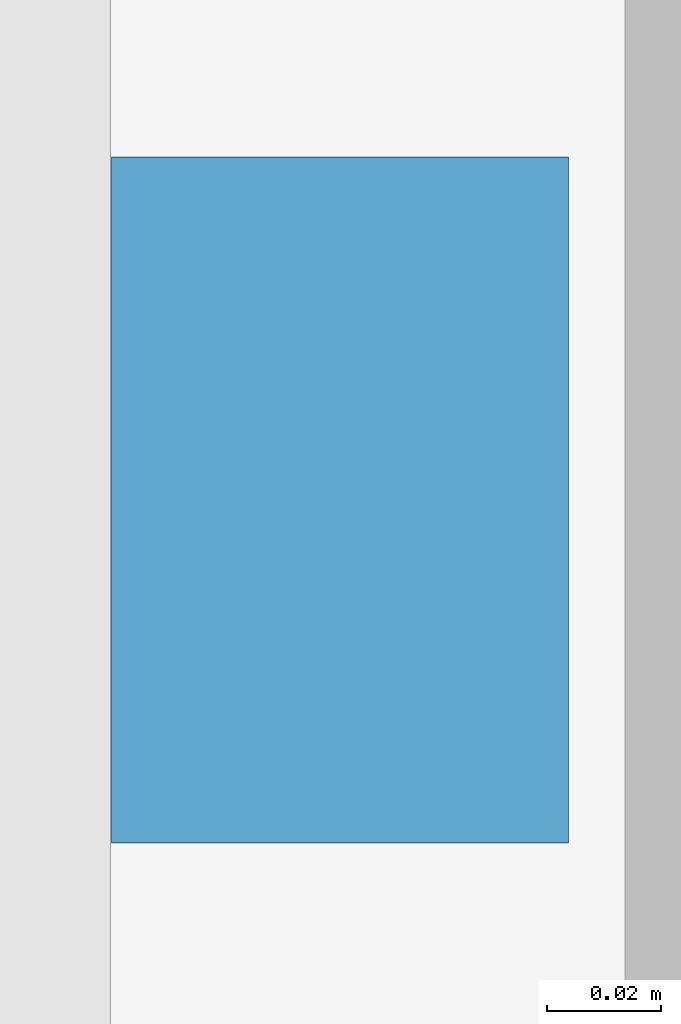
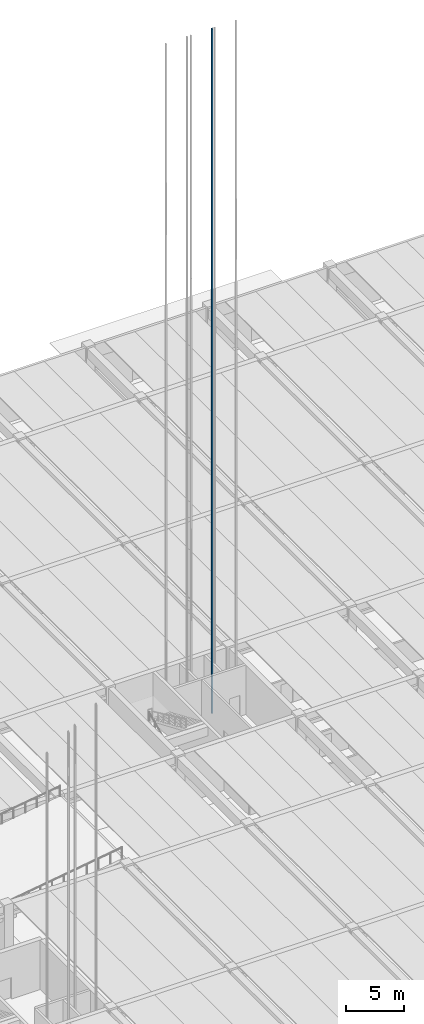
# One storey, part 47 of 59: 1 discrete accessory.
"""IFC4 building model written with IfcOpenShell, lengths in metres."""

from ifc_helpers import new_model, si_unit, direction, frame, origin, origin_2d, place, context, subcontext, project, spatial, rectangle, extrude, material, type_object, element, save


model = new_model("IFC4")

# Units and contexts
model_context = context("Model", 3, precision=1e-05, world=origin(), true_north=direction((0.0, 1.0)))
body_context = subcontext(model_context, "Body", "Model", "MODEL_VIEW")
ifc_project = project(units=[si_unit("LENGTHUNIT", "METRE"), si_unit("AREAUNIT", "SQUARE_METRE"), si_unit("VOLUMEUNIT", "CUBIC_METRE"), si_unit("PLANEANGLEUNIT", "RADIAN"), si_unit("MASSUNIT", "GRAM", prefix="KILO")], contexts=[model_context])

# Site, building, storey
site_placement = place(None, origin())
site = spatial("IfcSite", under=ifc_project, at=site_placement, CompositionType="ELEMENT")
building_placement = place(site_placement, origin())
building = spatial("IfcBuilding", under=site, at=building_placement, Name="Girod Span Mobility Hub", CompositionType="ELEMENT")
storey_placement = place(building_placement, origin())
storey = spatial("IfcBuildingStorey", under=building, at=storey_placement, Name="L00", CompositionType="ELEMENT", Elevation=0.0)

# Discrete accessory
ifc_material = material(Name="Steel A992 Grade 50", Category="steel")
discrete_accessory_type = type_object("IfcDiscreteAccessoryType", Name="ACC-LFT-RAIL", PredefinedType="USERDEFINED", material=ifc_material)
discrete_accessory_placement = place(storey_placement, frame((117.330078125, 67.300048828125, 0.0), z_axis=(0.0, 0.0, 1.0), x_axis=(1.0, 0.0, 0.0)))
element("IfcDiscreteAccessory", 1, at=discrete_accessory_placement, inside=storey, type_object=discrete_accessory_type, Name="Hoistway Guide Rail LP-3-E", ObjectType="GUIDE RAIL", PredefinedType="USERDEFINED", context=body_context, shape_type="SweptSolid", body=[
    extrude(rectangle(XDim=0.080078125, YDim=0.1201171875, at=origin_2d()), origin(), (0.0, 0.0, 1.0), 71.949951171875),
])

save(model, "model.ifc")
